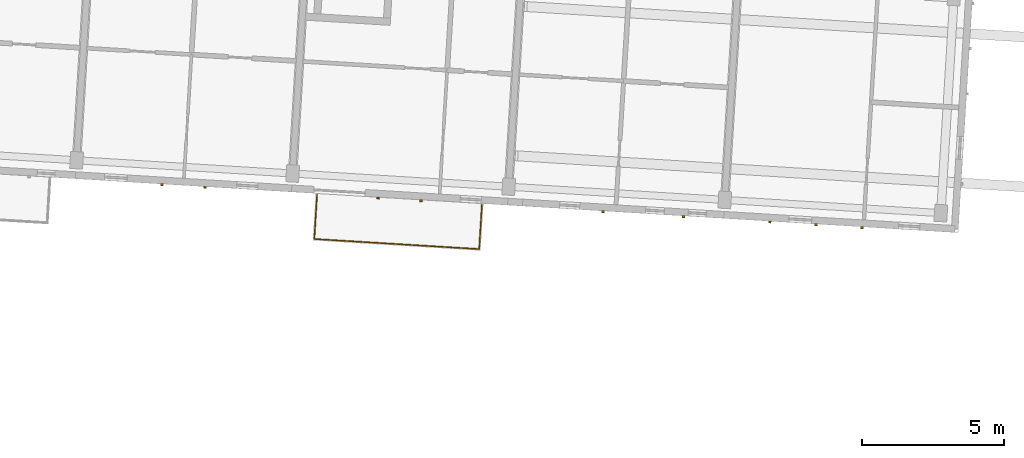
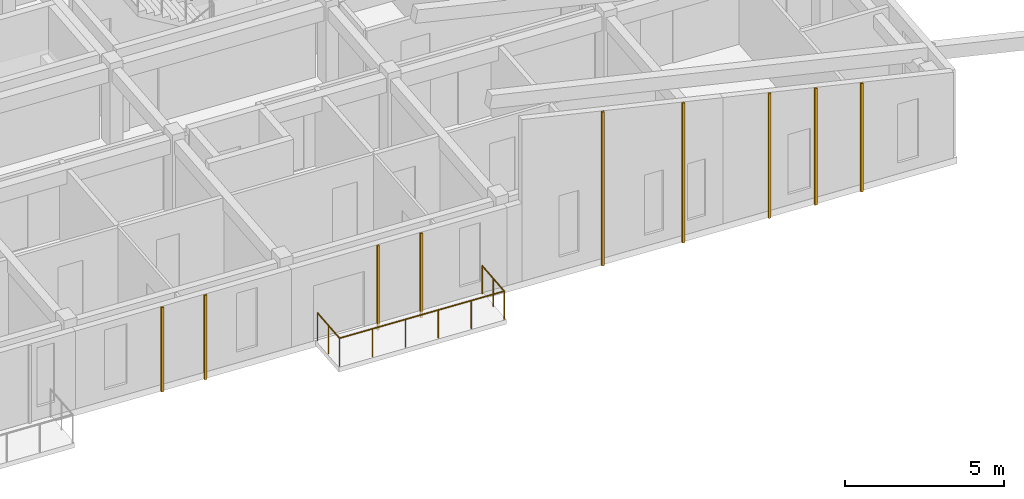
# One storey, part 43 of 56: 9 coverings, 1 railing.
"""IFC4 building model written with IfcOpenShell, lengths in metres."""

from ifc_helpers import new_model, si_unit, direction, frame, origin, origin_2d, place, context, subcontext, project, spatial, rectangle, circle, extrude, material, layer, layer_set, type_object, element, save


model = new_model("IFC4")

# Units and contexts
model_context = context("Model", 3, precision=1e-05, world=origin(), true_north=direction((0.0, 1.0)))
body_context = subcontext(model_context, "Body", "Model", "MODEL_VIEW")
ifc_project = project(units=[si_unit("LENGTHUNIT", "METRE"), si_unit("AREAUNIT", "SQUARE_METRE"), si_unit("VOLUMEUNIT", "CUBIC_METRE"), si_unit("PLANEANGLEUNIT", "RADIAN"), si_unit("MASSUNIT", "GRAM", prefix="KILO")], contexts=[model_context])

# Site, building, storey
site_placement = place(None, origin())
site = spatial("IfcSite", under=ifc_project, at=site_placement, CompositionType="ELEMENT")
building_placement = place(site_placement, origin())
building = spatial("IfcBuilding", under=site, at=building_placement, Name="Kestramere Prow Commons", CompositionType="ELEMENT")
storey_placement = place(building_placement, frame((0.0, 0.0, 27.89990234375)))
storey = spatial("IfcBuildingStorey", under=building, at=storey_placement, Name="L08", CompositionType="ELEMENT", Elevation=27.89990234375)

# Coverings
ifc_material_1 = material(Name="Weathered Zinc-Titanium Standing-Seam Cladding")
ifc_layer = layer(ifc_material_1, 0.074951171875)
ifc_layer_set = layer_set([ifc_layer], Name="Weathered Zinc-Titanium Standing-Seam Cladding")
covering_type = type_object("IfcCoveringType", Name="COV-CLAD-SEAM", PredefinedType="CLADDING", material=ifc_layer_set)
for number, where, z_axis, x_axis, name in (
    (1, (71.595947265625, 45.081298828125, -0.25), (0.0, 0.0, 1.0), (-0.998134798422, 0.061048539535, 0.0), "EW-C-L08-S-1 Standing-Seam Rib 2"),
    (2, (70.078857421875, 45.17431640625, -0.25), (0.0, 0.0, 1.0), (-0.998134798422, 0.061048539535, 0.0), "EW-C-L08-S-1 Standing-Seam Rib 3"),
    (3, (79.181884765625, 44.617431640625, -0.25), (0.0, 0.0, 1.0), (-0.998134798422, 0.061048539535, 0.0), "EW-C-L08-S-2 Standing-Seam Rib 2"),
    (4, (77.66455078125, 44.710205078125, -0.25), (0.0, 0.0, 1.0), (-0.998134798422, 0.061048539535, 0.0), "EW-C-L08-S-2 Standing-Seam Rib 3"),
):
    element("IfcCovering", number, at=place(storey_placement, frame(where, z_axis=z_axis, x_axis=x_axis)), inside=storey, type_object=covering_type, Name=name, PredefinedType="CLADDING", context=body_context, shape_type="SweptSolid", body=[
        extrude(rectangle(XDim=0.0849609375, YDim=0.06494140625, at=origin_2d()), origin(), (0.0, 0.0, 1.0), 3.25),
    ])
covering_1_placement = place(storey_placement, frame((88.3896484375, 44.05419921875, -0.25), z_axis=(0.0, 0.0, 1.0), x_axis=(-0.998134798422, 0.061048539535, 0.0)))
element("IfcCovering", 5, at=covering_1_placement, inside=storey, type_object=covering_type, Name="EW-C-L08-S-3 Standing-Seam Rib 1", PredefinedType="CLADDING", context=body_context, shape_type="SweptSolid", body=[
    extrude(rectangle(XDim=0.0849609375, YDim=0.06494140625, at=origin_2d()), origin(), (0.0, 0.0, 1.0), 5.383056640625),
])
covering_2_placement = place(storey_placement, frame((85.56494140625, 44.22705078125, -0.25), z_axis=(0.0, 0.0, 1.0), x_axis=(-0.998134798422, 0.061048539535, 0.0)))
element("IfcCovering", 6, at=covering_2_placement, inside=storey, type_object=covering_type, Name="EW-C-L08-S-3 Standing-Seam Rib 3", PredefinedType="CLADDING", context=body_context, shape_type="SweptSolid", body=[
    extrude(rectangle(XDim=0.0849609375, YDim=0.06494140625, at=origin_2d()), origin(), (0.0, 0.0, 1.0), 5.927490234375),
])
covering_3_placement = place(storey_placement, frame((94.667724609375, 43.670166015625, -0.25), z_axis=(0.0, 0.0, 1.0), x_axis=(-0.998134798422, 0.061048539535, 0.0)))
element("IfcCovering", 7, at=covering_3_placement, inside=storey, type_object=covering_type, Name="EW-C-L08-S-4 Standing-Seam Rib 2", PredefinedType="CLADDING", context=body_context, shape_type="SweptSolid", body=[
    extrude(rectangle(XDim=0.0849609375, YDim=0.06494140625, at=origin_2d()), origin(), (0.0, 0.0, 1.0), 4.172607421875),
])
covering_4_placement = place(storey_placement, frame((93.0458984375, 43.76953125, -0.25), z_axis=(0.0, 0.0, 1.0), x_axis=(-0.998134798422, 0.061048539535, 0.0)))
element("IfcCovering", 8, at=covering_4_placement, inside=storey, type_object=covering_type, Name="EW-C-L08-S-4 Standing-Seam Rib 3", PredefinedType="CLADDING", context=body_context, shape_type="SweptSolid", body=[
    extrude(rectangle(XDim=0.0849609375, YDim=0.06494140625, at=origin_2d()), origin(), (0.0, 0.0, 1.0), 4.4853515625),
])
covering_5_placement = place(storey_placement, frame((91.423828125, 43.86865234375, -0.25), z_axis=(0.0, 0.0, 1.0), x_axis=(-0.998134798422, 0.061048539535, 0.0)))
element("IfcCovering", 9, at=covering_5_placement, inside=storey, type_object=covering_type, Name="EW-C-L08-S-4 Standing-Seam Rib 4", PredefinedType="CLADDING", context=body_context, shape_type="SweptSolid", body=[
    extrude(rectangle(XDim=0.0849609375, YDim=0.06494140625, at=origin_2d()), origin(), (0.0, 0.0, 1.0), 4.798095703125),
])

# Railing
ifc_material_2 = material(Name="Powder-Coated Aluminium 6063-T6", Category="aluminium")
railing_type = type_object("IfcRailingType", Name="GRD-BALC-1100", PredefinedType="BALUSTRADE", material=ifc_material_2)
railing_placement = place(storey_placement, frame((75.52783203125, 44.828369140625, 0.0)))
element("IfcRailing", 10, at=railing_placement, inside=storey, type_object=railing_type, Name="Block C L08 Balcony Guardrail 3", PredefinedType="BALUSTRADE", context=body_context, shape_type="SweptSolid", body=[
    extrude(circle(Radius=0.02392578125, at=origin_2d()), frame((0.0, 0.0, 1.076171875), z_axis=(-0.061033697925, -0.998135706063, 0.0), x_axis=(0.998135706063, -0.061033697925, 0.0)), (0.0, 0.0, 1.0), 1.56005859375),
    extrude(circle(Radius=0.02392578125, at=origin_2d()), frame((-0.09521484375, -1.55712890625, 1.076171875), z_axis=(0.998135537192, -0.061036459553, 0.0), x_axis=(0.061036459553, 0.998135537192, 0.0)), (0.0, 0.0, 1.0), 5.7998046875),
    extrude(circle(Radius=0.02392578125, at=origin_2d()), frame((5.69384765625, -1.9111328125, 1.076171875), z_axis=(0.061189609383, 0.998126160214, 0.0), x_axis=(-0.998126160214, 0.061189609383, 0.0)), (0.0, 0.0, 1.0), 1.56005859375),
    extrude(circle(Radius=0.02099609375, at=origin_2d()), origin(), (0.0, 0.0, 1.0), 1.052001953125),
    extrude(circle(Radius=0.02099609375, at=origin_2d()), frame((-0.047607421875, -0.778564453125, 0.0)), (0.0, 0.0, 1.0), 1.052001953125),
    extrude(circle(Radius=0.02099609375, at=origin_2d()), frame((-0.09521484375, -1.55712890625, 0.0)), (0.0, 0.0, 1.0), 1.052001953125),
    extrude(circle(Radius=0.02099609375, at=origin_2d()), frame((1.0625, -1.6279296875, 0.0)), (0.0, 0.0, 1.0), 1.052001953125),
    extrude(circle(Radius=0.02099609375, at=origin_2d()), frame((2.220458984375, -1.69873046875, 0.0)), (0.0, 0.0, 1.0), 1.052001953125),
    extrude(circle(Radius=0.02099609375, at=origin_2d()), frame((3.378173828125, -1.76953125, 0.0)), (0.0, 0.0, 1.0), 1.052001953125),
    extrude(circle(Radius=0.02099609375, at=origin_2d()), frame((4.5361328125, -1.84033203125, 0.0)), (0.0, 0.0, 1.0), 1.052001953125),
    extrude(circle(Radius=0.02099609375, at=origin_2d()), frame((5.69384765625, -1.9111328125, 0.0)), (0.0, 0.0, 1.0), 1.052001953125),
    extrude(circle(Radius=0.02099609375, at=origin_2d()), frame((5.74169921875, -1.132568359375, 0.0)), (0.0, 0.0, 1.0), 1.052001953125),
    extrude(circle(Radius=0.02099609375, at=origin_2d()), frame((5.789306640625, -0.35400390625, 0.0)), (0.0, 0.0, 1.0), 1.052001953125),
])

save(model, "model.ifc")
